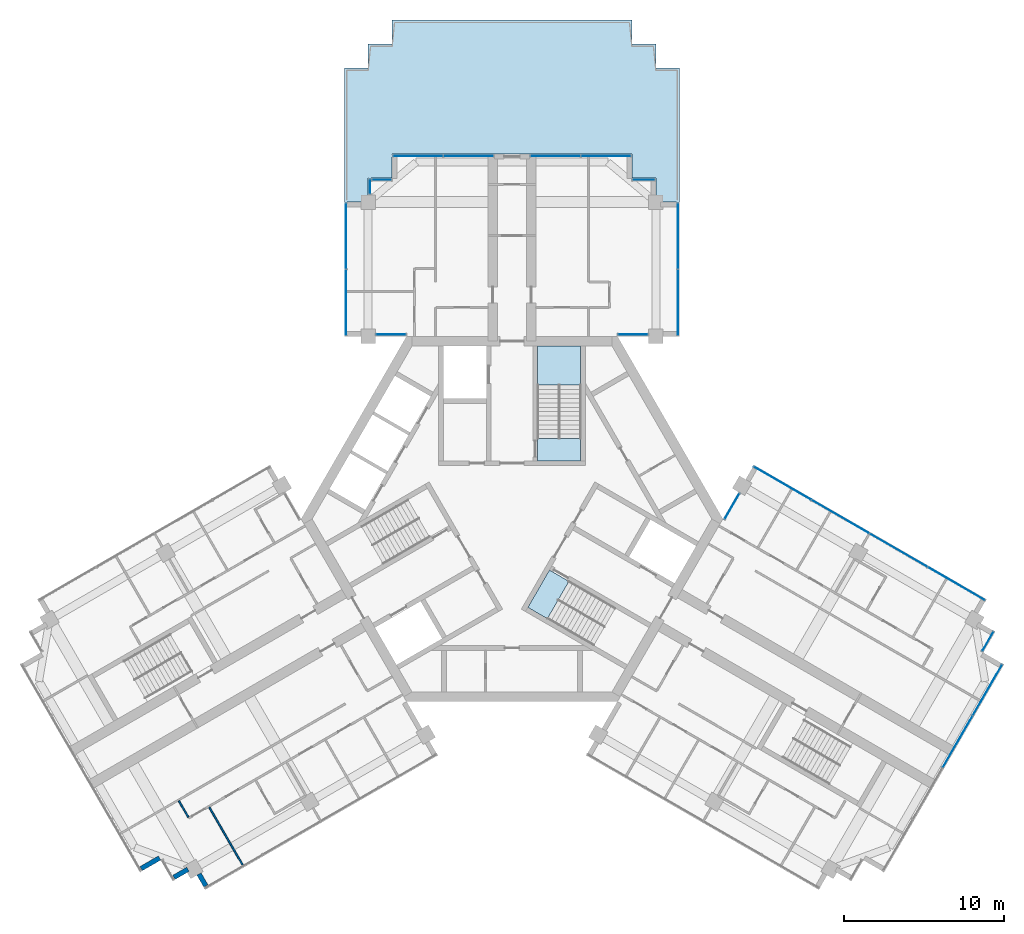
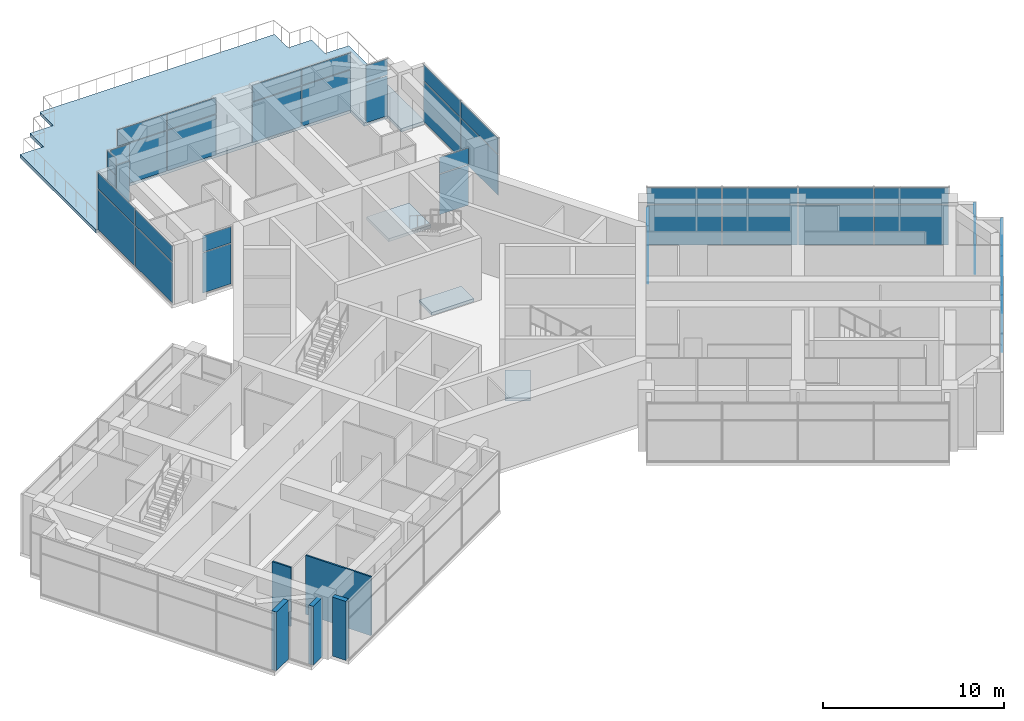
# One storey, part 9 of 15: 42 plates, 5 walls, 4 slabs, 15 elements without a shape of their own.
"""IFC4 building model written with IfcOpenShell, lengths in metres."""

from ifc_helpers import new_model, si_unit, direction, frame, frame_2d, origin, origin_2d, place, context, subcontext, project, spatial, polyline, rectangle, outline, extrude, material, layer, layer_set, type_object, element, aggregate, save


model = new_model("IFC4")

# Units and contexts
model_context = context("Model", 3, precision=1e-05, world=origin(), true_north=direction((0.0, 1.0)))
body_context = subcontext(model_context, "Body", "Model", "MODEL_VIEW")
ifc_project = project(units=[si_unit("LENGTHUNIT", "METRE"), si_unit("AREAUNIT", "SQUARE_METRE"), si_unit("VOLUMEUNIT", "CUBIC_METRE"), si_unit("PLANEANGLEUNIT", "RADIAN"), si_unit("MASSUNIT", "GRAM", prefix="KILO")], contexts=[model_context])

# Site, building, storey
site_placement = place(None, origin())
site = spatial("IfcSite", under=ifc_project, at=site_placement, CompositionType="ELEMENT")
building_placement = place(site_placement, origin())
building = spatial("IfcBuilding", under=site, at=building_placement, Name="Impinga Residences", CompositionType="ELEMENT")
storey_placement = place(building_placement, frame((0.0, 0.0, 274.75)))
storey = spatial("IfcBuildingStorey", under=building, at=storey_placement, Name="L69", CompositionType="ELEMENT", Elevation=274.75)

# Curtain wall, plates
ifc_material_1 = material(Name="Aluminium stick curtain wall", Category="aluminium")
curtain_wall_type = type_object("IfcCurtainWallType", Name="CW3 penthouse curtain wall", PredefinedType="USERDEFINED", material=ifc_material_1)
curtain_wall_1_placement = place(storey_placement, origin())
curtain_wall_1 = element("IfcCurtainWall", 1, at=curtain_wall_1_placement, inside=storey, type_object=curtain_wall_type, Name="Curtain wall CW3 L69", ObjectType="STICK CURTAIN WALL", PredefinedType="USERDEFINED")
ifc_material_2 = material(Name="Clear double glazing", Category="glass")
ifc_layer_1 = layer(ifc_material_2, 0.028076171875)
ifc_layer_set_1 = layer_set([ifc_layer_1], Name="CW3-P clear double glazed panel 28")
plate_type = type_object("IfcPlateType", Name="CW3-P clear double glazed panel 28", PredefinedType="CURTAIN_PANEL", material=ifc_layer_set_1)
plate_1_placement = place(storey_placement, frame((-7.573486328125, 11.531494140625, 0.06005859375), z_axis=(0.0, 0.0, 1.0), x_axis=(-1.0, 0.0, 0.0)))
plate_1 = element("IfcPlate", 2, at=plate_1_placement, type_object=plate_type, Name="CW3 panel 1.1", PredefinedType="CURTAIN_PANEL", context=body_context, shape_type="SweptSolid", body=[
    extrude(rectangle(XDim=1.826904296875, YDim=0.028076171875, at=origin_2d()), origin(), (0.0, 0.0, 1.0), 2.7099609375),
])
plate_2_placement = place(storey_placement, frame((-7.573486328125, 11.531494140625, 2.830078125), z_axis=(0.0, 0.0, 1.0), x_axis=(-1.0, 0.0, 0.0)))
plate_2 = element("IfcPlate", 3, at=plate_2_placement, type_object=plate_type, Name="CW3 panel 1.2", PredefinedType="CURTAIN_PANEL", context=body_context, shape_type="SweptSolid", body=[
    extrude(rectangle(XDim=1.826904296875, YDim=0.028076171875, at=origin_2d()), origin(), (0.0, 0.0, 1.0), 1.090087890625),
])
aggregate(curtain_wall_1, [plate_1, plate_2])

curtain_wall_2_placement = place(storey_placement, origin())
curtain_wall_2 = element("IfcCurtainWall", 4, at=curtain_wall_2_placement, inside=storey, type_object=curtain_wall_type, Name="Curtain wall CW3 L69", ObjectType="STICK CURTAIN WALL", PredefinedType="USERDEFINED")
plate_3_placement = place(storey_placement, frame((-10.39990234375, 13.546630859375, 0.06005859375), z_axis=(0.0, 0.0, 1.0), x_axis=(0.0, 1.0, 0.0)))
plate_3 = element("IfcPlate", 5, at=plate_3_placement, type_object=plate_type, Name="CW3 panel 1.1", PredefinedType="CURTAIN_PANEL", context=body_context, shape_type="SweptSolid", body=[
    extrude(rectangle(XDim=4.110107421875, YDim=0.028076171875, at=origin_2d()), origin(), (0.0, 0.0, 1.0), 2.7099609375),
])
plate_4_placement = place(storey_placement, frame((-10.39990234375, 13.546630859375, 2.830078125), z_axis=(0.0, 0.0, 1.0), x_axis=(0.0, 1.0, 0.0)))
plate_4 = element("IfcPlate", 6, at=plate_4_placement, type_object=plate_type, Name="CW3 panel 1.2", PredefinedType="CURTAIN_PANEL", context=body_context, shape_type="SweptSolid", body=[
    extrude(rectangle(XDim=4.110107421875, YDim=0.028076171875, at=origin_2d()), origin(), (0.0, 0.0, 1.0), 1.090087890625),
])
plate_5_placement = place(storey_placement, frame((-10.39990234375, 17.716552734375, 0.06005859375), z_axis=(0.0, 0.0, 1.0), x_axis=(0.0, 1.0, 0.0)))
plate_5 = element("IfcPlate", 7, at=plate_5_placement, type_object=plate_type, Name="CW3 panel 2.1", PredefinedType="CURTAIN_PANEL", context=body_context, shape_type="SweptSolid", body=[
    extrude(rectangle(XDim=4.110107421875, YDim=0.028076171875, at=origin_2d()), origin(), (0.0, 0.0, 1.0), 2.7099609375),
])
plate_6_placement = place(storey_placement, frame((-10.39990234375, 17.716552734375, 2.830078125), z_axis=(0.0, 0.0, 1.0), x_axis=(0.0, 1.0, 0.0)))
plate_6 = element("IfcPlate", 8, at=plate_6_placement, type_object=plate_type, Name="CW3 panel 2.2", PredefinedType="CURTAIN_PANEL", context=body_context, shape_type="SweptSolid", body=[
    extrude(rectangle(XDim=4.110107421875, YDim=0.028076171875, at=origin_2d()), origin(), (0.0, 0.0, 1.0), 1.090087890625),
])
aggregate(curtain_wall_2, [plate_3, plate_4, plate_5, plate_6])

curtain_wall_3_placement = place(storey_placement, origin())
curtain_wall_3 = element("IfcCurtainWall", 9, at=curtain_wall_3_placement, inside=storey, type_object=curtain_wall_type, Name="Curtain wall CW3 L69", ObjectType="STICK CURTAIN WALL", PredefinedType="USERDEFINED")
plate_7_placement = place(storey_placement, frame((-8.89990234375, 20.80810546875, 0.06005859375), z_axis=(0.0, 0.0, 1.0), x_axis=(0.0, 1.0, 0.0)))
plate_7 = element("IfcPlate", 10, at=plate_7_placement, type_object=plate_type, Name="CW3 panel 1.1", PredefinedType="CURTAIN_PANEL", context=body_context, shape_type="SweptSolid", body=[
    extrude(rectangle(XDim=0.927001953125, YDim=0.028076171875, at=origin_2d()), origin(), (0.0, 0.0, 1.0), 2.7099609375),
])
plate_8_placement = place(storey_placement, frame((-8.89990234375, 20.80810546875, 2.830078125), z_axis=(0.0, 0.0, 1.0), x_axis=(0.0, 1.0, 0.0)))
plate_8 = element("IfcPlate", 11, at=plate_8_placement, type_object=plate_type, Name="CW3 panel 1.2", PredefinedType="CURTAIN_PANEL", context=body_context, shape_type="SweptSolid", body=[
    extrude(rectangle(XDim=0.927001953125, YDim=0.028076171875, at=origin_2d()), origin(), (0.0, 0.0, 1.0), 1.090087890625),
])
aggregate(curtain_wall_3, [plate_7, plate_8])

curtain_wall_4_placement = place(storey_placement, origin())
curtain_wall_4 = element("IfcCurtainWall", 12, at=curtain_wall_4_placement, inside=storey, type_object=curtain_wall_type, Name="Curtain wall CW3 L69", ObjectType="STICK CURTAIN WALL", PredefinedType="USERDEFINED")
plate_9_placement = place(storey_placement, frame((-8.14990234375, 21.2314453125, 0.06005859375), z_axis=(0.0, 0.0, 1.0), x_axis=(1.0, 0.0, 0.0)))
plate_9 = element("IfcPlate", 13, at=plate_9_placement, type_object=plate_type, Name="CW3 panel 1.1", PredefinedType="CURTAIN_PANEL", context=body_context, shape_type="SweptSolid", body=[
    extrude(rectangle(XDim=1.179931640625, YDim=0.028076171875, at=origin_2d()), origin(), (0.0, 0.0, 1.0), 2.7099609375),
])
plate_10_placement = place(storey_placement, frame((-8.14990234375, 21.2314453125, 2.830078125), z_axis=(0.0, 0.0, 1.0), x_axis=(1.0, 0.0, 0.0)))
plate_10 = element("IfcPlate", 14, at=plate_10_placement, type_object=plate_type, Name="CW3 panel 1.2", PredefinedType="CURTAIN_PANEL", context=body_context, shape_type="SweptSolid", body=[
    extrude(rectangle(XDim=1.179931640625, YDim=0.028076171875, at=origin_2d()), origin(), (0.0, 0.0, 1.0), 1.090087890625),
])
aggregate(curtain_wall_4, [plate_9, plate_10])

curtain_wall_5_placement = place(storey_placement, origin())
curtain_wall_5 = element("IfcCurtainWall", 15, at=curtain_wall_5_placement, inside=storey, type_object=curtain_wall_type, Name="Curtain wall CW3 L69", ObjectType="STICK CURTAIN WALL", PredefinedType="USERDEFINED")
plate_11_placement = place(storey_placement, frame((-5.885009765625, 22.7314453125, 0.06005859375), z_axis=(0.0, 0.0, 1.0), x_axis=(1.0, 0.0, 0.0)))
plate_11 = element("IfcPlate", 16, at=plate_11_placement, type_object=plate_type, Name="CW3 panel 1.1", PredefinedType="CURTAIN_PANEL", context=body_context, shape_type="SweptSolid", body=[
    extrude(rectangle(XDim=3.110107421875, YDim=0.028076171875, at=origin_2d()), origin(), (0.0, 0.0, 1.0), 2.7099609375),
])
plate_12_placement = place(storey_placement, frame((-5.885009765625, 22.7314453125, 2.830078125), z_axis=(0.0, 0.0, 1.0), x_axis=(1.0, 0.0, 0.0)))
plate_12 = element("IfcPlate", 17, at=plate_12_placement, type_object=plate_type, Name="CW3 panel 1.2", PredefinedType="CURTAIN_PANEL", context=body_context, shape_type="SweptSolid", body=[
    extrude(rectangle(XDim=3.110107421875, YDim=0.028076171875, at=origin_2d()), origin(), (0.0, 0.0, 1.0), 1.090087890625),
])
plate_13_placement = place(storey_placement, frame((-2.715087890625, 22.7314453125, 0.06005859375), z_axis=(0.0, 0.0, 1.0), x_axis=(1.0, 0.0, 0.0)))
plate_13 = element("IfcPlate", 18, at=plate_13_placement, type_object=plate_type, Name="CW3 panel 2.1", PredefinedType="CURTAIN_PANEL", context=body_context, shape_type="SweptSolid", body=[
    extrude(rectangle(XDim=3.110107421875, YDim=0.028076171875, at=origin_2d()), origin(), (0.0, 0.0, 1.0), 2.7099609375),
])
plate_14_placement = place(storey_placement, frame((-2.715087890625, 22.7314453125, 2.830078125), z_axis=(0.0, 0.0, 1.0), x_axis=(1.0, 0.0, 0.0)))
plate_14 = element("IfcPlate", 19, at=plate_14_placement, type_object=plate_type, Name="CW3 panel 2.2", PredefinedType="CURTAIN_PANEL", context=body_context, shape_type="SweptSolid", body=[
    extrude(rectangle(XDim=3.110107421875, YDim=0.028076171875, at=origin_2d()), origin(), (0.0, 0.0, 1.0), 1.090087890625),
])
aggregate(curtain_wall_5, [plate_11, plate_12, plate_13, plate_14])

curtain_wall_6_placement = place(storey_placement, origin())
curtain_wall_6 = element("IfcCurtainWall", 20, at=curtain_wall_6_placement, inside=storey, type_object=curtain_wall_type, Name="Curtain wall CW3 L69", ObjectType="STICK CURTAIN WALL", PredefinedType="USERDEFINED")
plate_15_placement = place(storey_placement, frame((2.715087890625, 22.7314453125, 0.06005859375), z_axis=(0.0, 0.0, 1.0), x_axis=(1.0, 0.0, 0.0)))
plate_15 = element("IfcPlate", 21, at=plate_15_placement, type_object=plate_type, Name="CW3 panel 1.1", PredefinedType="CURTAIN_PANEL", context=body_context, shape_type="SweptSolid", body=[
    extrude(rectangle(XDim=3.110107421875, YDim=0.028076171875, at=origin_2d()), origin(), (0.0, 0.0, 1.0), 2.7099609375),
])
plate_16_placement = place(storey_placement, frame((2.715087890625, 22.7314453125, 2.830078125), z_axis=(0.0, 0.0, 1.0), x_axis=(1.0, 0.0, 0.0)))
plate_16 = element("IfcPlate", 22, at=plate_16_placement, type_object=plate_type, Name="CW3 panel 1.2", PredefinedType="CURTAIN_PANEL", context=body_context, shape_type="SweptSolid", body=[
    extrude(rectangle(XDim=3.110107421875, YDim=0.028076171875, at=origin_2d()), origin(), (0.0, 0.0, 1.0), 1.090087890625),
])
plate_17_placement = place(storey_placement, frame((5.885009765625, 22.7314453125, 0.06005859375), z_axis=(0.0, 0.0, 1.0), x_axis=(1.0, 0.0, 0.0)))
plate_17 = element("IfcPlate", 23, at=plate_17_placement, type_object=plate_type, Name="CW3 panel 2.1", PredefinedType="CURTAIN_PANEL", context=body_context, shape_type="SweptSolid", body=[
    extrude(rectangle(XDim=3.110107421875, YDim=0.028076171875, at=origin_2d()), origin(), (0.0, 0.0, 1.0), 2.7099609375),
])
plate_18_placement = place(storey_placement, frame((5.885009765625, 22.7314453125, 2.830078125), z_axis=(0.0, 0.0, 1.0), x_axis=(1.0, 0.0, 0.0)))
plate_18 = element("IfcPlate", 24, at=plate_18_placement, type_object=plate_type, Name="CW3 panel 2.2", PredefinedType="CURTAIN_PANEL", context=body_context, shape_type="SweptSolid", body=[
    extrude(rectangle(XDim=3.110107421875, YDim=0.028076171875, at=origin_2d()), origin(), (0.0, 0.0, 1.0), 1.090087890625),
])
aggregate(curtain_wall_6, [plate_15, plate_16, plate_17, plate_18])

curtain_wall_7_placement = place(storey_placement, origin())
curtain_wall_7 = element("IfcCurtainWall", 25, at=curtain_wall_7_placement, inside=storey, type_object=curtain_wall_type, Name="Curtain wall CW3 L69", ObjectType="STICK CURTAIN WALL", PredefinedType="USERDEFINED")
plate_19_placement = place(storey_placement, frame((8.25, 21.2314453125, 0.06005859375), z_axis=(0.0, 0.0, 1.0), x_axis=(1.0, 0.0, 0.0)))
plate_19 = element("IfcPlate", 26, at=plate_19_placement, type_object=plate_type, Name="CW3 panel 1.1", PredefinedType="CURTAIN_PANEL", context=body_context, shape_type="SweptSolid", body=[
    extrude(rectangle(XDim=1.3798828125, YDim=0.028076171875, at=origin_2d()), origin(), (0.0, 0.0, 1.0), 2.7099609375),
])
plate_20_placement = place(storey_placement, frame((8.25, 21.2314453125, 2.830078125), z_axis=(0.0, 0.0, 1.0), x_axis=(1.0, 0.0, 0.0)))
plate_20 = element("IfcPlate", 27, at=plate_20_placement, type_object=plate_type, Name="CW3 panel 1.2", PredefinedType="CURTAIN_PANEL", context=body_context, shape_type="SweptSolid", body=[
    extrude(rectangle(XDim=1.3798828125, YDim=0.028076171875, at=origin_2d()), origin(), (0.0, 0.0, 1.0), 1.090087890625),
])
aggregate(curtain_wall_7, [plate_19, plate_20])

curtain_wall_8_placement = place(storey_placement, origin())
curtain_wall_8 = element("IfcCurtainWall", 28, at=curtain_wall_8_placement, inside=storey, type_object=curtain_wall_type, Name="Curtain wall CW3 L69", ObjectType="STICK CURTAIN WALL", PredefinedType="USERDEFINED")
plate_21_placement = place(storey_placement, frame((10.39990234375, 17.716552734375, 0.06005859375), z_axis=(0.0, 0.0, 1.0), x_axis=(0.0, -1.0, 0.0)))
plate_21 = element("IfcPlate", 29, at=plate_21_placement, type_object=plate_type, Name="CW3 panel 1.1", PredefinedType="CURTAIN_PANEL", context=body_context, shape_type="SweptSolid", body=[
    extrude(rectangle(XDim=4.110107421875, YDim=0.028076171875, at=origin_2d()), origin(), (0.0, 0.0, 1.0), 2.7099609375),
])
plate_22_placement = place(storey_placement, frame((10.39990234375, 17.716552734375, 2.830078125), z_axis=(0.0, 0.0, 1.0), x_axis=(0.0, -1.0, 0.0)))
plate_22 = element("IfcPlate", 30, at=plate_22_placement, type_object=plate_type, Name="CW3 panel 1.2", PredefinedType="CURTAIN_PANEL", context=body_context, shape_type="SweptSolid", body=[
    extrude(rectangle(XDim=4.110107421875, YDim=0.028076171875, at=origin_2d()), origin(), (0.0, 0.0, 1.0), 1.090087890625),
])
plate_23_placement = place(storey_placement, frame((10.39990234375, 13.546630859375, 0.06005859375), z_axis=(0.0, 0.0, 1.0), x_axis=(0.0, -1.0, 0.0)))
plate_23 = element("IfcPlate", 31, at=plate_23_placement, type_object=plate_type, Name="CW3 panel 2.1", PredefinedType="CURTAIN_PANEL", context=body_context, shape_type="SweptSolid", body=[
    extrude(rectangle(XDim=4.110107421875, YDim=0.028076171875, at=origin_2d()), origin(), (0.0, 0.0, 1.0), 2.7099609375),
])
plate_24_placement = place(storey_placement, frame((10.39990234375, 13.546630859375, 2.830078125), z_axis=(0.0, 0.0, 1.0), x_axis=(0.0, -1.0, 0.0)))
plate_24 = element("IfcPlate", 32, at=plate_24_placement, type_object=plate_type, Name="CW3 panel 2.2", PredefinedType="CURTAIN_PANEL", context=body_context, shape_type="SweptSolid", body=[
    extrude(rectangle(XDim=4.110107421875, YDim=0.028076171875, at=origin_2d()), origin(), (0.0, 0.0, 1.0), 1.090087890625),
])
aggregate(curtain_wall_8, [plate_21, plate_22, plate_23, plate_24])

curtain_wall_9_placement = place(storey_placement, origin())
curtain_wall_9 = element("IfcCurtainWall", 33, at=curtain_wall_9_placement, inside=storey, type_object=curtain_wall_type, Name="Curtain wall CW3 L69", ObjectType="STICK CURTAIN WALL", PredefinedType="USERDEFINED")
plate_25_placement = place(storey_placement, frame((7.573486328125, 11.531494140625, 0.06005859375), z_axis=(0.0, 0.0, 1.0), x_axis=(-1.0, 0.0, 0.0)))
plate_25 = element("IfcPlate", 34, at=plate_25_placement, type_object=plate_type, Name="CW3 panel 1.1", PredefinedType="CURTAIN_PANEL", context=body_context, shape_type="SweptSolid", body=[
    extrude(rectangle(XDim=1.826904296875, YDim=0.028076171875, at=origin_2d()), origin(), (0.0, 0.0, 1.0), 2.7099609375),
])
plate_26_placement = place(storey_placement, frame((7.573486328125, 11.531494140625, 2.830078125), z_axis=(0.0, 0.0, 1.0), x_axis=(-1.0, 0.0, 0.0)))
plate_26 = element("IfcPlate", 35, at=plate_26_placement, type_object=plate_type, Name="CW3 panel 1.2", PredefinedType="CURTAIN_PANEL", context=body_context, shape_type="SweptSolid", body=[
    extrude(rectangle(XDim=1.826904296875, YDim=0.028076171875, at=origin_2d()), origin(), (0.0, 0.0, 1.0), 1.090087890625),
])
aggregate(curtain_wall_9, [plate_25, plate_26])

curtain_wall_10_placement = place(storey_placement, origin())
curtain_wall_10 = element("IfcCurtainWall", 36, at=curtain_wall_10_placement, inside=storey, type_object=curtain_wall_type, Name="Curtain wall CW3 L69", ObjectType="STICK CURTAIN WALL", PredefinedType="USERDEFINED")
plate_27_placement = place(storey_placement, frame((13.7734375, 0.79296875, 0.06005859375), z_axis=(0.0, 0.0, 1.0), x_axis=(0.50000010257, 0.866025344565, 0.0)))
plate_27 = element("IfcPlate", 37, at=plate_27_placement, type_object=plate_type, Name="CW3 panel 1.1", PredefinedType="CURTAIN_PANEL", context=body_context, shape_type="SweptSolid", body=[
    extrude(rectangle(XDim=1.826904296875, YDim=0.028076171875, at=origin_2d()), origin(), (0.0, 0.0, 1.0), 2.7099609375),
])
plate_28_placement = place(storey_placement, frame((13.7734375, 0.79296875, 2.830078125), z_axis=(0.0, 0.0, 1.0), x_axis=(0.50000010257, 0.866025344565, 0.0)))
plate_28 = element("IfcPlate", 38, at=plate_28_placement, type_object=plate_type, Name="CW3 panel 1.2", PredefinedType="CURTAIN_PANEL", context=body_context, shape_type="SweptSolid", body=[
    extrude(rectangle(XDim=1.826904296875, YDim=0.028076171875, at=origin_2d()), origin(), (0.0, 0.0, 1.0), 1.090087890625),
])
aggregate(curtain_wall_10, [plate_27, plate_28])

curtain_wall_11_placement = place(storey_placement, origin())
curtain_wall_11 = element("IfcCurtainWall", 39, at=curtain_wall_11_placement, inside=storey, type_object=curtain_wall_type, Name="Curtain wall CW3 L69", ObjectType="STICK CURTAIN WALL", PredefinedType="USERDEFINED")
plate_29_placement = place(storey_placement, frame((16.931640625, 2.2333984375, 0.06005859375), z_axis=(0.0, 0.0, 1.0), x_axis=(0.866025407005, -0.499999994423, 0.0)))
plate_29 = element("IfcPlate", 40, at=plate_29_placement, type_object=plate_type, Name="CW3 panel 1.1", PredefinedType="CURTAIN_PANEL", context=body_context, shape_type="SweptSolid", body=[
    extrude(rectangle(XDim=4.110107421875, YDim=0.028076171875, at=origin_2d()), origin(), (0.0, 0.0, 1.0), 2.7099609375),
])
plate_30_placement = place(storey_placement, frame((16.931640625, 2.2333984375, 2.830078125), z_axis=(0.0, 0.0, 1.0), x_axis=(0.866025407005, -0.499999994423, 0.0)))
plate_30 = element("IfcPlate", 41, at=plate_30_placement, type_object=plate_type, Name="CW3 panel 1.2", PredefinedType="CURTAIN_PANEL", context=body_context, shape_type="SweptSolid", body=[
    extrude(rectangle(XDim=4.110107421875, YDim=0.028076171875, at=origin_2d()), origin(), (0.0, 0.0, 1.0), 1.090087890625),
])
plate_31_placement = place(storey_placement, frame((20.555908203125, 0.140869140625, 0.06005859375), z_axis=(0.0, 0.0, 1.0), x_axis=(0.866025407005, -0.499999994423, 0.0)))
plate_31 = element("IfcPlate", 42, at=plate_31_placement, type_object=plate_type, Name="CW3 panel 2.1", PredefinedType="CURTAIN_PANEL", context=body_context, shape_type="SweptSolid", body=[
    extrude(rectangle(XDim=4.139892578125, YDim=0.028076171875, at=origin_2d()), origin(), (0.0, 0.0, 1.0), 2.7099609375),
])
plate_32_placement = place(storey_placement, frame((20.555908203125, 0.140869140625, 2.830078125), z_axis=(0.0, 0.0, 1.0), x_axis=(0.866025407005, -0.499999994423, 0.0)))
plate_32 = element("IfcPlate", 43, at=plate_32_placement, type_object=plate_type, Name="CW3 panel 2.2", PredefinedType="CURTAIN_PANEL", context=body_context, shape_type="SweptSolid", body=[
    extrude(rectangle(XDim=4.139892578125, YDim=0.028076171875, at=origin_2d()), origin(), (0.0, 0.0, 1.0), 1.090087890625),
])
plate_33_placement = place(storey_placement, frame((24.193359375, -1.958984375, 0.06005859375), z_axis=(0.0, 0.0, 1.0), x_axis=(0.866025407005, -0.499999994423, 0.0)))
plate_33 = element("IfcPlate", 44, at=plate_33_placement, type_object=plate_type, Name="CW3 panel 3.1", PredefinedType="CURTAIN_PANEL", context=body_context, shape_type="SweptSolid", body=[
    extrude(rectangle(XDim=4.139892578125, YDim=0.028076171875, at=origin_2d()), origin(), (0.0, 0.0, 1.0), 2.7099609375),
])
plate_34_placement = place(storey_placement, frame((24.193359375, -1.958984375, 2.830078125), z_axis=(0.0, 0.0, 1.0), x_axis=(0.866025407005, -0.499999994423, 0.0)))
plate_34 = element("IfcPlate", 45, at=plate_34_placement, type_object=plate_type, Name="CW3 panel 3.2", PredefinedType="CURTAIN_PANEL", context=body_context, shape_type="SweptSolid", body=[
    extrude(rectangle(XDim=4.139892578125, YDim=0.028076171875, at=origin_2d()), origin(), (0.0, 0.0, 1.0), 1.090087890625),
])
plate_35_placement = place(storey_placement, frame((27.817626953125, -4.051513671875, 0.06005859375), z_axis=(0.0, 0.0, 1.0), x_axis=(0.866025407005, -0.499999994423, 0.0)))
plate_35 = element("IfcPlate", 46, at=plate_35_placement, type_object=plate_type, Name="CW3 panel 4.1", PredefinedType="CURTAIN_PANEL", context=body_context, shape_type="SweptSolid", body=[
    extrude(rectangle(XDim=4.110107421875, YDim=0.028076171875, at=origin_2d()), origin(), (0.0, 0.0, 1.0), 2.7099609375),
])
plate_36_placement = place(storey_placement, frame((27.817626953125, -4.051513671875, 2.830078125), z_axis=(0.0, 0.0, 1.0), x_axis=(0.866025407005, -0.499999994423, 0.0)))
plate_36 = element("IfcPlate", 47, at=plate_36_placement, type_object=plate_type, Name="CW3 panel 4.2", PredefinedType="CURTAIN_PANEL", context=body_context, shape_type="SweptSolid", body=[
    extrude(rectangle(XDim=4.110107421875, YDim=0.028076171875, at=origin_2d()), origin(), (0.0, 0.0, 1.0), 1.090087890625),
])
aggregate(curtain_wall_11, [plate_29, plate_30, plate_31, plate_32, plate_33, plate_34, plate_35, plate_36])

curtain_wall_12_placement = place(storey_placement, origin())
curtain_wall_12 = element("IfcCurtainWall", 48, at=curtain_wall_12_placement, inside=storey, type_object=curtain_wall_type, Name="Curtain wall CW3 L69", ObjectType="STICK CURTAIN WALL", PredefinedType="USERDEFINED")
plate_37_placement = place(storey_placement, frame((29.78662109375, -7.671142578125, 0.06005859375), z_axis=(0.0, 0.0, 1.0), x_axis=(-0.500000030502, -0.866025386174, 0.0)))
plate_37 = element("IfcPlate", 49, at=plate_37_placement, type_object=plate_type, Name="CW3 panel 1.1", PredefinedType="CURTAIN_PANEL", context=body_context, shape_type="SweptSolid", body=[
    extrude(rectangle(XDim=1.3798828125, YDim=0.028076171875, at=origin_2d()), origin(), (0.0, 0.0, 1.0), 2.7099609375),
])
plate_38_placement = place(storey_placement, frame((29.78662109375, -7.671142578125, 2.830078125), z_axis=(0.0, 0.0, 1.0), x_axis=(-0.500000030502, -0.866025386174, 0.0)))
plate_38 = element("IfcPlate", 50, at=plate_38_placement, type_object=plate_type, Name="CW3 panel 1.2", PredefinedType="CURTAIN_PANEL", context=body_context, shape_type="SweptSolid", body=[
    extrude(rectangle(XDim=1.3798828125, YDim=0.028076171875, at=origin_2d()), origin(), (0.0, 0.0, 1.0), 1.090087890625),
])
aggregate(curtain_wall_12, [plate_37, plate_38])

curtain_wall_13_placement = place(storey_placement, origin())
curtain_wall_13 = element("IfcCurtainWall", 51, at=curtain_wall_13_placement, inside=storey, type_object=curtain_wall_type, Name="Curtain wall CW3 L69", ObjectType="STICK CURTAIN WALL", PredefinedType="USERDEFINED")
plate_39_placement = place(storey_placement, frame((29.765625, -10.707275390625, 0.06005859375), z_axis=(0.0, 0.0, 1.0), x_axis=(-0.500000001632, -0.866025402842, 0.0)))
plate_39 = element("IfcPlate", 52, at=plate_39_placement, type_object=plate_type, Name="CW3 panel 1.1", PredefinedType="CURTAIN_PANEL", context=body_context, shape_type="SweptSolid", body=[
    extrude(rectangle(XDim=3.659912109375, YDim=0.028076171875, at=origin_2d()), origin(), (0.0, 0.0, 1.0), 2.7099609375),
])
plate_40_placement = place(storey_placement, frame((29.765625, -10.707275390625, 2.830078125), z_axis=(0.0, 0.0, 1.0), x_axis=(-0.500000001632, -0.866025402842, 0.0)))
plate_40 = element("IfcPlate", 53, at=plate_40_placement, type_object=plate_type, Name="CW3 panel 1.2", PredefinedType="CURTAIN_PANEL", context=body_context, shape_type="SweptSolid", body=[
    extrude(rectangle(XDim=3.659912109375, YDim=0.028076171875, at=origin_2d()), origin(), (0.0, 0.0, 1.0), 1.090087890625),
])
plate_41_placement = place(storey_placement, frame((27.898193359375, -13.94189453125, 0.06005859375), z_axis=(0.0, 0.0, 1.0), x_axis=(-0.500000001632, -0.866025402842, 0.0)))
plate_41 = element("IfcPlate", 54, at=plate_41_placement, type_object=plate_type, Name="CW3 panel 2.1", PredefinedType="CURTAIN_PANEL", context=body_context, shape_type="SweptSolid", body=[
    extrude(rectangle(XDim=3.68994140625, YDim=0.028076171875, at=origin_2d()), origin(), (0.0, 0.0, 1.0), 2.7099609375),
])
plate_42_placement = place(storey_placement, frame((27.898193359375, -13.94189453125, 2.830078125), z_axis=(0.0, 0.0, 1.0), x_axis=(-0.500000001632, -0.866025402842, 0.0)))
plate_42 = element("IfcPlate", 55, at=plate_42_placement, type_object=plate_type, Name="CW3 panel 2.2", PredefinedType="CURTAIN_PANEL", context=body_context, shape_type="SweptSolid", body=[
    extrude(rectangle(XDim=3.68994140625, YDim=0.028076171875, at=origin_2d()), origin(), (0.0, 0.0, 1.0), 1.090087890625),
])
aggregate(curtain_wall_13, [plate_39, plate_40, plate_41, plate_42])

# Stair, slabs
ifc_material_3 = material(Name="Concrete C40/50", Category="concrete")
stair_type = type_object("IfcStairType", Name="STR core stair 4200 storey, 26 risers", PredefinedType="HALF_TURN_STAIR", material=ifc_material_3)
stair_1_placement = place(storey_placement, origin())
stair_1 = element("IfcStair", 56, at=stair_1_placement, inside=storey, type_object=stair_type, Name="Stair ST1 L69", PredefinedType="HALF_TURN_STAIR")
ifc_layer_2 = layer(ifc_material_3, 0.199951171875)
ifc_layer_set_2 = layer_set([ifc_layer_2], Name="Concrete C40/50")
slab_type_1 = type_object("IfcSlabType", Name="LS1 stair landing 200", PredefinedType="LANDING", material=ifc_layer_set_2)
slab_1_placement = place(storey_placement, frame((0.0, 0.0, -0.199951171875)))
slab_1 = element("IfcSlab", 57, at=slab_1_placement, type_object=slab_type_1, Name="ST1 landing 1", PredefinedType="LANDING", context=body_context, shape_type="SweptSolid", body=[
    extrude(outline(polyline([(1.60009765625, 3.6298828125), (4.300048828125, 3.6298828125), (4.300048828125, 5.0400390625), (1.60009765625, 5.0400390625), (1.60009765625, 3.6298828125)])), origin(), (0.0, 0.0, 1.0), 0.199951171875),
])
slab_2_placement = place(storey_placement, frame((0.0, 0.0, 1.89990234375)))
slab_2 = element("IfcSlab", 58, at=slab_2_placement, type_object=slab_type_1, Name="ST1 landing 2", PredefinedType="LANDING", context=body_context, shape_type="SweptSolid", body=[
    extrude(outline(polyline([(1.60009765625, 8.3798828125), (4.300048828125, 8.3798828125), (4.300048828125, 10.83154296875), (1.60009765625, 10.83154296875), (1.60009765625, 8.3798828125)])), origin(), (0.0, 0.0, 1.0), 0.2001953125),
])
aggregate(stair_1, [slab_1, slab_2])

# Stair, slab
stair_2_placement = place(storey_placement, origin())
stair_2 = element("IfcStair", 59, at=stair_2_placement, inside=storey, type_object=stair_type, Name="Stair ST3 L69", PredefinedType="HALF_TURN_STAIR")
slab_3_placement = place(storey_placement, frame((0.0, 0.0, -0.199951171875)))
slab_3 = element("IfcSlab", 60, at=slab_3_placement, type_object=slab_type_1, Name="ST3 landing 1", PredefinedType="LANDING", context=body_context, shape_type="SweptSolid", body=[
    extrude(outline(polyline([(2.34375, -3.20068359375), (0.99365234375, -5.538818359375), (2.21484375, -6.243896484375), (3.564697265625, -3.90576171875), (2.34375, -3.20068359375)])), origin(), (0.0, 0.0, 1.0), 0.199951171875),
])
aggregate(stair_2, [slab_3])

# Slab
ifc_material_4 = material(Name="Concrete C60/75", Category="concrete")
ifc_layer_3 = layer(ifc_material_4, 0.219970703125)
ifc_layer_set_3 = layer_set([ifc_layer_3], Name="Concrete C60/75")
slab_type_2 = type_object("IfcSlabType", Name="TS2 setback terrace slab 220", PredefinedType="ROOF", material=ifc_layer_set_3)
slab_4_placement = place(storey_placement, frame((0.0, 0.0, -0.219970703125)))
element("IfcSlab", 61, at=slab_4_placement, inside=storey, type_object=slab_type_2, Name="Maintenance roof TS2 L69", PredefinedType="ROOF", context=body_context, shape_type="SweptSolid", body=[
    extrude(outline(polyline([(-10.5, 28.2314453125), (-9.0, 28.2314453125), (-9.0, 29.7314453125), (-7.5, 29.7314453125), (-7.5, 31.2314453125), (7.5, 31.2314453125), (7.5, 29.7314453125), (9.0, 29.7314453125), (9.0, 28.2314453125), (10.5, 28.2314453125), (10.5, 19.83251953125), (9.0009765625, 19.83251953125), (9.0009765625, 21.33154296875), (9.0009765625, 21.33154296875), (9.0009765625, 21.331787109375), (9.0009765625, 21.331787109375), (9.0009765625, 21.33203125), (9.0009765625, 21.33203125), (9.000732421875, 21.33203125), (9.000732421875, 21.332275390625), (9.000732421875, 21.332275390625), (9.000732421875, 21.332275390625), (9.00048828125, 21.332275390625), (9.00048828125, 21.33251953125), (9.00048828125, 21.33251953125), (9.000244140625, 21.33251953125), (9.000244140625, 21.33251953125), (9.0, 21.33251953125), (9.0, 21.33251953125), (7.5009765625, 21.33251953125), (7.5009765625, 22.83154296875), (7.5009765625, 22.83154296875), (7.5009765625, 22.831787109375), (7.5009765625, 22.831787109375), (7.5009765625, 22.83203125), (7.5009765625, 22.83203125), (7.500732421875, 22.83203125), (7.500732421875, 22.832275390625), (7.500732421875, 22.832275390625), (7.500732421875, 22.832275390625), (7.50048828125, 22.832275390625), (7.50048828125, 22.83251953125), (7.50048828125, 22.83251953125), (7.500244140625, 22.83251953125), (7.500244140625, 22.83251953125), (7.5, 22.83251953125), (7.5, 22.83251953125), (-7.5, 22.83251953125), (-7.5, 22.83251953125), (-7.500244140625, 22.83251953125), (-7.500244140625, 22.83251953125), (-7.50048828125, 22.83251953125), (-7.50048828125, 22.83251953125), (-7.50048828125, 22.832275390625), (-7.500732421875, 22.832275390625), (-7.500732421875, 22.832275390625), (-7.500732421875, 22.832275390625), (-7.500732421875, 22.83203125), (-7.5009765625, 22.83203125), (-7.5009765625, 22.83203125), (-7.5009765625, 22.831787109375), (-7.5009765625, 22.831787109375), (-7.5009765625, 22.83154296875), (-7.5009765625, 22.83154296875), (-7.5009765625, 21.33251953125), (-9.0, 21.33251953125), (-9.0, 21.33251953125), (-9.000244140625, 21.33251953125), (-9.000244140625, 21.33251953125), (-9.00048828125, 21.33251953125), (-9.00048828125, 21.33251953125), (-9.00048828125, 21.332275390625), (-9.000732421875, 21.332275390625), (-9.000732421875, 21.332275390625), (-9.000732421875, 21.332275390625), (-9.000732421875, 21.33203125), (-9.0009765625, 21.33203125), (-9.0009765625, 21.33203125), (-9.0009765625, 21.331787109375), (-9.0009765625, 21.331787109375), (-9.0009765625, 21.33154296875), (-9.0009765625, 21.33154296875), (-9.0009765625, 19.83251953125), (-10.5, 19.83251953125), (-10.5, 28.2314453125)])), origin(), (0.0, 0.0, 1.0), 0.219970703125),
])

# Walls
ifc_material_5 = material(Name="Stone facing on blockwork", Category="masonry")
ifc_layer_4 = layer(ifc_material_5, 0.300048828125)
ifc_layer_set_4 = layer_set([ifc_layer_4], Name="EW2 external wall, stone facing on blockwork 300")
wall_type_1 = type_object("IfcWallType", Name="EW2 external wall, stone facing on blockwork 300", PredefinedType="SOLIDWALL", material=ifc_layer_set_4)
wall_1_placement = place(storey_placement, frame((-19.161865234375, -22.973876953125, 0.0), z_axis=(0.0, 0.0, 1.0), x_axis=(-0.499885902046, 0.866091268248, 0.0)))
element("IfcWall", 62, at=wall_1_placement, inside=storey, type_object=wall_type_1, Name="External wall EW2 L69", PredefinedType="SOLIDWALL", context=body_context, shape_type="SweptSolid", body=[
    extrude(rectangle(XDim=0.862060546875, YDim=0.300048828125, at=frame_2d((0.43115234375, 0.0))), origin(), (0.0, 0.0, 1.0), 3.97998046875),
])
wall_2_placement = place(storey_placement, frame((-20.283935546875, -21.93017578125, 0.0), z_axis=(0.0, 0.0, 1.0), x_axis=(-0.866133525259, -0.499812681335, 0.0)))
element("IfcWall", 63, at=wall_2_placement, inside=storey, type_object=wall_type_1, Name="External wall EW2 L69", PredefinedType="SOLIDWALL", context=body_context, shape_type="SweptSolid", body=[
    extrude(rectangle(XDim=1.01513671875, YDim=0.300048828125, at=frame_2d((0.507568359375, 0.0))), origin(), (0.0, 0.0, 1.0), 3.97998046875),
])
wall_3_placement = place(storey_placement, frame((-22.060302734375, -21.2236328125, 0.0), z_axis=(0.0, 0.0, 1.0), x_axis=(-0.866020521143, -0.500008456887, 0.0)))
element("IfcWall", 64, at=wall_3_placement, inside=storey, type_object=wall_type_1, Name="External wall EW2 L69", PredefinedType="SOLIDWALL", context=body_context, shape_type="SweptSolid", body=[
    extrude(rectangle(XDim=1.330078125, YDim=0.300048828125, at=frame_2d((0.6650390625, 0.0))), origin(), (0.0, 0.0, 1.0), 3.97998046875),
])
ifc_material_6 = material(Name="Gypsum board on steel studs", Category="steel")
ifc_layer_5 = layer(ifc_material_6, 0.10009765625)
ifc_layer_set_5 = layer_set([ifc_layer_5], Name="Gypsum board on steel studs")
wall_type_2 = type_object("IfcWallType", Name="IP1 partition 100", PredefinedType="PARTITIONING", material=ifc_layer_set_5)
wall_4_placement = place(storey_placement, frame((-20.85498046875, -17.640869140625, 0.0), z_axis=(0.0, 0.0, 1.0), x_axis=(0.499880961361, -0.866094119867, 0.0)))
element("IfcWall", 65, at=wall_4_placement, inside=storey, type_object=wall_type_2, Name="Partition L69-WA1:SE1", PredefinedType="PARTITIONING", context=body_context, shape_type="SweptSolid", body=[
    extrude(rectangle(XDim=1.199951171875, YDim=0.10009765625, at=frame_2d((0.60009765625, 0.0))), origin(), (0.0, 0.0, 1.0), 3.97998046875),
])
wall_5_placement = place(storey_placement, frame((-18.949462890625, -18.041748046875, 0.0), z_axis=(0.0, 0.0, 1.0), x_axis=(0.499983227221, -0.866035087336, 0.0)))
element("IfcWall", 66, at=wall_5_placement, inside=storey, type_object=wall_type_2, Name="Partition L69-WA1:OB4", PredefinedType="PARTITIONING", context=body_context, shape_type="SweptSolid", body=[
    extrude(rectangle(XDim=4.187255859375, YDim=0.10009765625, at=frame_2d((2.09375, 0.0))), origin(), (0.0, 0.0, 1.0), 3.97998046875),
])

save(model, "model.ifc")
